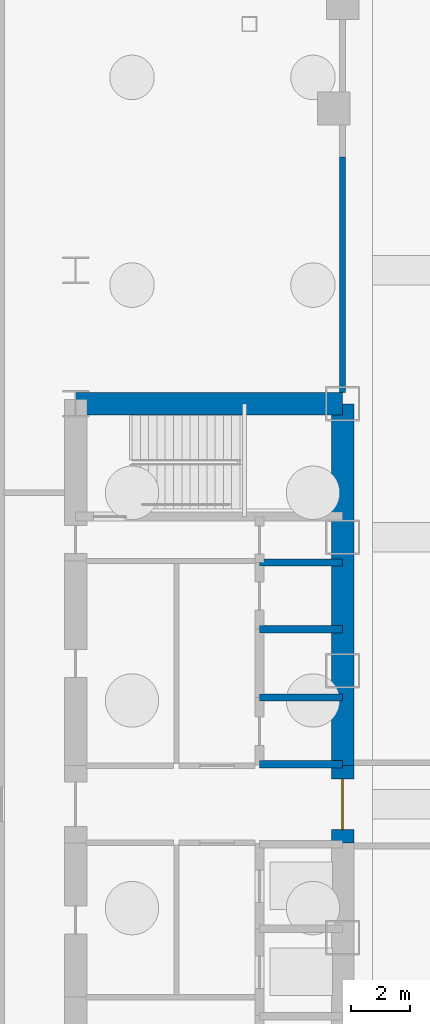
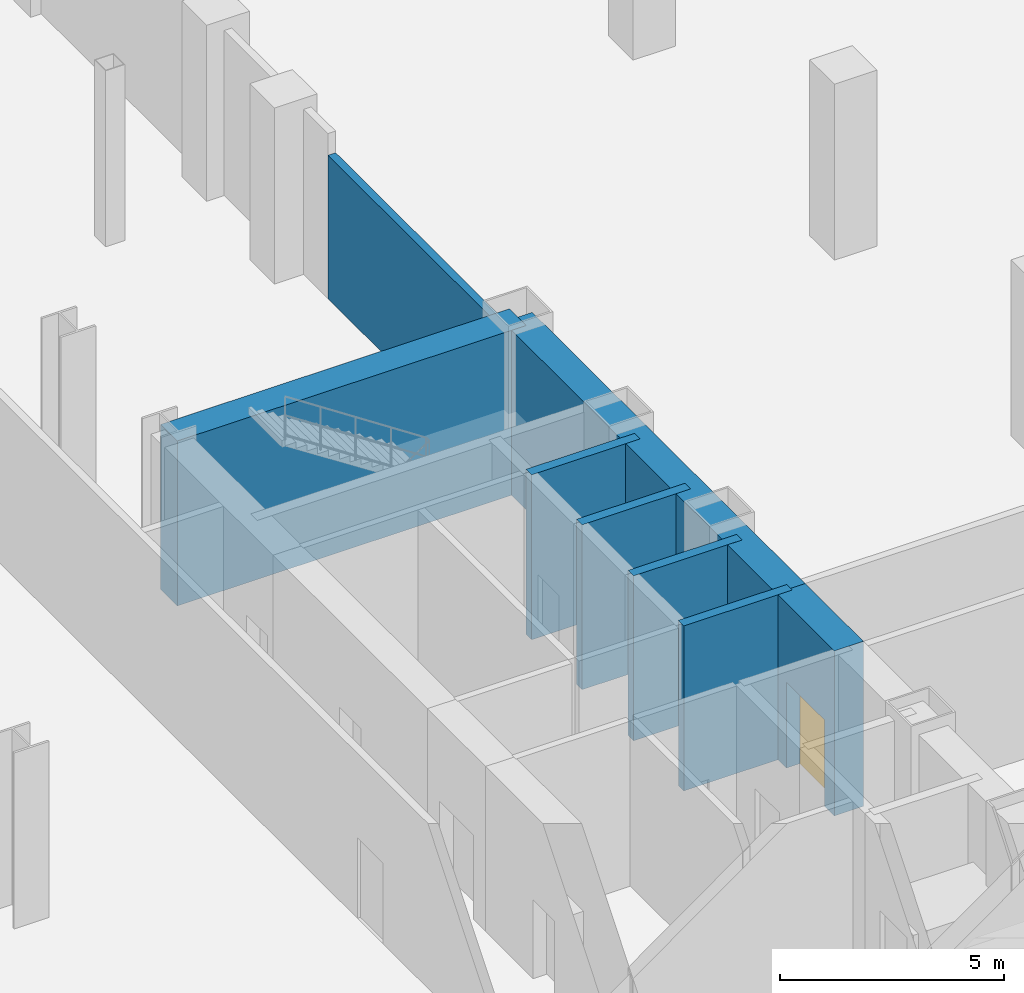
# One storey, part 11 of 18: 8 walls, 1 door, 1 opening.
"""IFC4 building model written with IfcOpenShell, lengths in metres."""

import ifcopenshell
import ifcopenshell.guid

model = None  # the IFC model being written
_history = None  # IfcOwnerHistory: only IFC2X3 demands one
_inside = {}  # id of a spatial element -> (the spatial element, [elements in it])
_under = {}  # id of a project, library or spatial element -> (it, [spatial elements below it])
_declared = {}  # id of a project -> (the project, [libraries it declares])
_typed = {}  # id of a type object -> (the type object, [elements of that type])
_made_of = {}  # id of a material, layer set ... -> (it, [elements and type objects made of it])


def new_model(schema):
    """Start an empty IFC model of exactly this schema.

    Asked for "IFC4X3", IfcOpenShell would pick the latest addendum, in which some entities
    have other attributes; the version numbers below select the first issue.
    IFC2X3 requires an IfcOwnerHistory on every rooted entity: one is made here for all.
    """
    global model, _history
    if schema == "IFC4X3":
        model = ifcopenshell.file(schema_version=(4, 3, 0, 0))
    else:
        model = ifcopenshell.file(schema=schema)
    _inside.clear()
    _under.clear()
    _declared.clear()
    _typed.clear()
    _made_of.clear()
    _history = None
    if model.schema == "IFC2X3":
        org = make("IfcOrganization", Name="unknown")
        user = make(
            "IfcPersonAndOrganization",
            ThePerson=make("IfcPerson", FamilyName="unknown"),
            TheOrganization=org,
        )
        app = make(
            "IfcApplication",
            ApplicationDeveloper=org,
            Version="unknown",
            ApplicationFullName="unknown",
            ApplicationIdentifier="unknown",
        )
        _history = make(
            "IfcOwnerHistory",
            OwningUser=user,
            OwningApplication=app,
            ChangeAction="ADDED",
            CreationDate=0,
        )
    return model


def make(cls, **values):
    """One entity of the class cls with the attributes given. An attribute that is None is left unset."""
    return model.create_entity(
        cls, **{name: value for name, value in values.items() if value is not None}
    )


def rooted(cls, **values):
    """An entity with a GlobalId (a new one), such as an element, a storey or a relation."""
    return make(cls, GlobalId=ifcopenshell.guid.new(), OwnerHistory=_history, **values)


def si_unit(unit_type, name, prefix=None):
    """IfcSIUnit, for example si_unit("LENGTHUNIT", "METRE", prefix="MILLI")."""
    return make("IfcSIUnit", UnitType=unit_type, Prefix=prefix, Name=name)


def assignment(units):
    """IfcUnitAssignment: the units of a project."""
    return None if units is None else make("IfcUnitAssignment", Units=units)


def point(xyz):
    """IfcCartesianPoint."""
    return None if xyz is None else make("IfcCartesianPoint", Coordinates=xyz)


def direction(xyz):
    """IfcDirection."""
    return None if xyz is None else make("IfcDirection", DirectionRatios=xyz)


def frame(location, z_axis=None, x_axis=None):
    """IfcAxis2Placement3D, a coordinate frame: its origin and axes. An axis left out is left unset."""
    return make(
        "IfcAxis2Placement3D",
        Location=point(location),
        Axis=direction(z_axis),
        RefDirection=direction(x_axis),
    )


def frame_2d(location, x_axis=None):
    """IfcAxis2Placement2D, a coordinate frame in the plane: its origin and x axis."""
    return make(
        "IfcAxis2Placement2D", Location=point(location), RefDirection=direction(x_axis)
    )


def origin():
    """The frame at (0, 0, 0) with its axes left unset."""
    return frame((0.0, 0.0, 0.0))


def place(relative_to, where):
    """IfcLocalPlacement: puts the frame where relative to a parent placement (None: the world)."""
    return make(
        "IfcLocalPlacement", PlacementRelTo=relative_to, RelativePlacement=where
    )


def context(
    kind, dimensions, precision=None, world=None, true_north=None, identifier=None
):
    """IfcGeometricRepresentationContext, for example the 3D "Model" context."""
    return make(
        "IfcGeometricRepresentationContext",
        ContextIdentifier=identifier,
        ContextType=kind,
        CoordinateSpaceDimension=dimensions,
        Precision=precision,
        WorldCoordinateSystem=world,
        TrueNorth=true_north,
    )


def subcontext(parent, identifier, kind, view, scale=None):
    """IfcGeometricRepresentationSubContext, for example "Body" below "Model"."""
    return make(
        "IfcGeometricRepresentationSubContext",
        ContextIdentifier=identifier,
        ContextType=kind,
        ParentContext=parent,
        TargetScale=scale,
        TargetView=view,
    )


def project(units=None, contexts=None):
    """IfcProject with its units and contexts."""
    return rooted(
        "IfcProject",
        Name="project",
        RepresentationContexts=contexts,
        UnitsInContext=assignment(units),
    )


def spatial(cls, under=None, at=None, **own):
    """A site, building, storey or space (cls), placed at a placement, below another one or the project."""
    s = rooted(cls, ObjectPlacement=at, **own)
    if under is not None:
        _under.setdefault(under.id(), (under, []))[1].append(s)
    return s


def profile(cls, at=None, kind="AREA", **sizes):
    """A parametric profile (cls). Its sizes go by their IFC names, for example OverallWidth=200.0."""
    return make(cls, ProfileType=kind, Position=at, **sizes)


def rectangle(**sizes):
    """IfcRectangleProfileDef."""
    return profile("IfcRectangleProfileDef", **sizes)


def extrude(swept, where, along, depth):
    """IfcExtrudedAreaSolid: the profile swept, set in the frame where, extruded along a direction by depth."""
    return make(
        "IfcExtrudedAreaSolid",
        SweptArea=swept,
        Position=where,
        ExtrudedDirection=direction(along),
        Depth=depth,
    )


def shape(context_of_items, identifier, shape_type, items):
    """IfcShapeRepresentation: the items that make up one representation, for example the "Body"."""
    return make(
        "IfcShapeRepresentation",
        ContextOfItems=context_of_items,
        RepresentationIdentifier=identifier,
        RepresentationType=shape_type,
        Items=items,
    )


def source(mapping_origin, context_of_items, identifier, shape_type, items):
    """IfcRepresentationMap: a shape defined once, which mapped items show again and again."""
    return make(
        "IfcRepresentationMap",
        MappingOrigin=mapping_origin,
        MappedRepresentation=shape(context_of_items, identifier, shape_type, items),
    )


def transform(
    local_origin,
    x_axis=None,
    y_axis=None,
    z_axis=None,
    scale=None,
    scale2=None,
    scale3=None,
    uniform=True,
):
    """IfcCartesianTransformationOperator3D, or its non-uniform kind. x_axis, y_axis, z_axis: its Axis1, 2, 3."""
    if uniform:
        return make(
            "IfcCartesianTransformationOperator3D",
            Axis1=direction(x_axis),
            Axis2=direction(y_axis),
            LocalOrigin=point(local_origin),
            Scale=scale,
            Axis3=direction(z_axis),
        )
    return make(
        "IfcCartesianTransformationOperator3DnonUniform",
        Axis1=direction(x_axis),
        Axis2=direction(y_axis),
        LocalOrigin=point(local_origin),
        Scale=scale,
        Axis3=direction(z_axis),
        Scale2=scale2,
        Scale3=scale3,
    )


def mapped(mapping_source, mapping_target):
    """IfcMappedItem: shows the shape of a source again, moved by a transform."""
    return make(
        "IfcMappedItem", MappingSource=mapping_source, MappingTarget=mapping_target
    )


def material(Name=None, Category=None):
    """IfcMaterial."""
    return make("IfcMaterial", Name=Name, Category=Category)


def layer(
    of_material, thickness, ventilated=None, Name=None, Category=None, Priority=None
):
    """IfcMaterialLayer: one layer of a wall or slab, of a material (None: an air gap)."""
    return make(
        "IfcMaterialLayer",
        Material=of_material,
        LayerThickness=thickness,
        IsVentilated=ventilated,
        Name=Name,
        Category=Category,
        Priority=Priority,
    )


def layer_set(layers, Name=None):
    """IfcMaterialLayerSet."""
    return make("IfcMaterialLayerSet", MaterialLayers=layers, LayerSetName=Name)


def made_of(thing, what):
    """Note that an element or type object is made of a material, layer set ...; save() writes the relation."""
    if what is not None:
        _made_of.setdefault(what.id(), (what, []))[1].append(thing)
    return thing


def type_object(cls, material=None, **own):
    """A type object (cls), such as IfcWallType, which elements share."""
    return made_of(rooted(cls, **own), material)


def type_shapes(of_type, sources):
    """Give a type object the sources (RepresentationMaps) that its elements show as mapped items."""
    of_type.RepresentationMaps = sources


def element(
    cls,
    number,
    at=None,
    inside=None,
    cuts=None,
    type_object=None,
    material=None,
    context=None,
    identifier="Body",
    shape_type=None,
    held_by="IfcProductDefinitionShape",
    body=None,
    shapes=None,
    **own,
):
    """One element of the class cls, such as IfcWall. Its Tag is "e" and its number.

    at: its placement. inside: the storey or other place that contains it. cuts: it is an
    opening in that element (IfcRelVoidsElement). A single representation is given by context,
    identifier, shape_type and body (its items); several are given by shapes. held_by: the class
    of the entity that holds the representations. save() writes the other relations.
    """
    e = rooted(cls, Tag="e%d" % number, ObjectPlacement=at, **own)
    if body is not None:
        shapes = [shape(context, identifier, shape_type, body)]
    if shapes is not None:
        e.Representation = make(held_by, Representations=shapes)
    if inside is not None:
        _inside.setdefault(inside.id(), (inside, []))[1].append(e)
    if cuts is not None:
        rooted(
            "IfcRelVoidsElement", RelatingBuildingElement=cuts, RelatedOpeningElement=e
        )
    if type_object is not None:
        _typed.setdefault(type_object.id(), (type_object, []))[1].append(e)
    return made_of(e, material)


def fill(opening, filler):
    """IfcRelFillsElement: the door or window that sits in an opening."""
    return rooted(
        "IfcRelFillsElement",
        RelatingOpeningElement=opening,
        RelatedBuildingElement=filler,
    )


def aggregate(whole, parts):
    """IfcRelAggregates: a whole, such as a stair, and the parts it consists of."""
    return rooted("IfcRelAggregates", RelatingObject=whole, RelatedObjects=parts)


def save(model, path):
    """Write the relations noted so far, then the file.

    IfcRelAggregates (storeys below a building ...), IfcRelContainedInSpatialStructure (elements
    in a storey), IfcRelDefinesByType, IfcRelAssociatesMaterial and IfcRelDeclares: one each for
    every whole, place, type object, material and project.
    """
    for whole, parts in _under.values():
        aggregate(whole, parts)
    for where, things in _inside.values():
        rooted(
            "IfcRelContainedInSpatialStructure",
            RelatedElements=things,
            RelatingStructure=where,
        )
    for kind, things in _typed.values():
        rooted("IfcRelDefinesByType", RelatedObjects=things, RelatingType=kind)
    for what, things in _made_of.values():
        rooted("IfcRelAssociatesMaterial", RelatedObjects=things, RelatingMaterial=what)
    for by, libraries in _declared.values():
        rooted("IfcRelDeclares", RelatingContext=by, RelatedDefinitions=libraries)
    model.write(path)


model = new_model("IFC4")

# Units and contexts
model_context = context("Model", 3, precision=1e-05, world=origin(), true_north=direction((0.0, 1.0)))
body_context = subcontext(model_context, "Body", "Model", "MODEL_VIEW")
ifc_project = project(units=[si_unit("LENGTHUNIT", "METRE"), si_unit("AREAUNIT", "SQUARE_METRE"), si_unit("VOLUMEUNIT", "CUBIC_METRE"), si_unit("PLANEANGLEUNIT", "RADIAN"), si_unit("MASSUNIT", "GRAM", prefix="KILO")], contexts=[model_context])

# Site, building, storey
site_placement = place(None, origin())
site = spatial("IfcSite", under=ifc_project, at=site_placement, CompositionType="ELEMENT")
building_placement = place(site_placement, origin())
building = spatial("IfcBuilding", under=site, at=building_placement, Name="Seokmaru Belvedere", CompositionType="ELEMENT")
storey_placement = place(building_placement, frame((0.0, 0.0, -9.60009765625)))
storey = spatial("IfcBuildingStorey", under=building, at=storey_placement, Name="B2", CompositionType="ELEMENT", Elevation=-9.60009765625)

# Walls
ifc_material_1 = material(Name="Concrete C50 (50 MPa)", Category="concrete")
ifc_layer_1 = layer(ifc_material_1, 0.25)
ifc_layer_set_1 = layer_set([ifc_layer_1], Name="Concrete C50 (50 MPa)")
wall_type_1 = type_object("IfcWallType", Name="Hoistway Transverse Concrete Divider Wall 250", PredefinedType="SHEAR", material=ifc_layer_set_1)
for number, where, z_axis, x_axis, name in (
    (1, (-30.300048828125, 1.35009765625, 0.0), (0.0, 0.0, 1.0), (1.0, 0.0, 0.0), "B2 West Hoistway Divider Core Wall 4"),
    (2, (-30.300048828125, 3.60009765625, 0.0), (0.0, 0.0, 1.0), (1.0, 0.0, 0.0), "B2 West Hoistway Divider Core Wall 5"),
    (3, (-30.300048828125, 5.89990234375, 0.0), (0.0, 0.0, 1.0), (1.0, 0.0, 0.0), "B2 West Hoistway Divider Core Wall 6"),
    (4, (-30.300048828125, 8.14990234375, 0.0), (0.0, 0.0, 1.0), (1.0, 0.0, 0.0), "B2 West Hoistway Divider Core Wall 7"),
):
    element("IfcWall", number, at=place(storey_placement, frame(where, z_axis=z_axis, x_axis=x_axis)), inside=storey, type_object=wall_type_1, Name=name, PredefinedType="SHEAR", context=body_context, shape_type="SweptSolid", body=[
        extrude(rectangle(XDim=2.800048828125, YDim=0.25, at=frame_2d((1.39990234375, 0.0))), origin(), (0.0, 0.0, 1.0), 4.5),
    ])
ifc_material_2 = material(Name="Fire-Rated Gypsum Shaftwall")
ifc_layer_2 = layer(ifc_material_2, 0.199951171875)
ifc_layer_set_2 = layer_set([ifc_layer_2], Name="Fire-Rated Gypsum Shaftwall")
wall_type_2 = type_object("IfcWallType", Name="Inter-Tenancy Fire Compartment Partition 200", PredefinedType="PARTITIONING", material=ifc_layer_set_2)
wall_1_placement = place(storey_placement, frame((-27.5, 13.8798828125, 0.0), z_axis=(0.0, 0.0, 1.0), x_axis=(0.0, 1.0, 0.0)))
element("IfcWall", 5, at=wall_1_placement, inside=storey, type_object=wall_type_2, Name="B2 Interior Partition 010", PredefinedType="PARTITIONING", context=body_context, shape_type="SweptSolid", body=[
    extrude(rectangle(XDim=7.9326171875, YDim=0.199951171875, at=frame_2d((3.96630859375, 0.0))), origin(), (0.0, 0.0, 1.0), 3.912109375),
])
ifc_material_3 = material(Name="Concrete C60 (60 MPa)", Category="concrete")
ifc_layer_3 = layer(ifc_material_3, 0.75)
ifc_layer_set_3 = layer_set([ifc_layer_3], Name="Concrete C60 (60 MPa)")
wall_type_3 = type_object("IfcWallType", Name="Lower Tower Reinforced Concrete Core Wall 750", PredefinedType="SHEAR", material=ifc_layer_set_3)
wall_2_placement = place(storey_placement, frame((-27.5, 1.300048828125, 0.0), z_axis=(0.0, 0.0, 1.0), x_axis=(0.0, 1.0, 0.0)))
element("IfcWall", 6, at=wall_2_placement, inside=storey, type_object=wall_type_3, Name="B2 West Portal Spine Core Wall North", PredefinedType="SHEAR", context=body_context, shape_type="SweptSolid", body=[
    extrude(rectangle(XDim=12.199951171875, YDim=0.75, at=frame_2d((6.10009765625, 0.0))), origin(), (0.0, 0.0, 1.0), 4.5),
])

# Wall, opening, door
wall_3_placement = place(storey_placement, frame((-27.5, -1.300048828125, 0.0), z_axis=(0.0, 0.0, 1.0), x_axis=(0.0, 1.0, 0.0)))
wall_3 = element("IfcWall", 7, at=wall_3_placement, inside=storey, type_object=wall_type_3, Name="B2 West Portal Spine Core Wall Center", PredefinedType="SHEAR", context=body_context, shape_type="SweptSolid", body=[
    extrude(rectangle(XDim=2.60009765625, YDim=0.75, at=frame_2d((1.300048828125, 0.0))), origin(), (0.0, 0.0, 1.0), 4.5),
])
opening_placement = place(wall_3_placement, frame((0.449951171875, 0.0, 0.0)))
opening = element("IfcOpeningElement", 8, at=opening_placement, cuts=wall_3, Name="Opening D09", PredefinedType="OPENING", context=body_context, shape_type="SweptSolid", body=[
    extrude(rectangle(XDim=1.699951171875, YDim=2.35009765625, at=frame_2d((0.85009765625, 1.175048828125))), frame((0.0, 0.385009765625, 0.0), z_axis=(0.0, -1.0, 0.0), x_axis=(1.0, 0.0, 0.0)), (0.0, 0.0, 1.0), 0.77001953125),
])
ifc_material_4 = material(Name="Fire-Rated Steel Leaf", Category="steel")
door_type = type_object("IfcDoorType", Name="Sky-Gate Bridge Inter-Tower Fire Door 1700x2350", OperationType="DOUBLE_SWING_LEFT", PredefinedType="DOOR", material=ifc_material_4)
shared_shape = source(origin(), body_context, "Body", "SweptSolid", [
    extrude(rectangle(XDim=1.699951171875, YDim=2.35009765625, at=frame_2d((0.85009765625, 1.175048828125))), frame((0.0, 0.02490234375, 0.0), z_axis=(0.0, -1.0, 0.0), x_axis=(1.0, 0.0, 0.0)), (0.0, 0.0, 1.0), 0.050048828125),
])
type_shapes(door_type, [shared_shape])
door_placement = place(opening_placement, origin())
door = element("IfcDoor", 9, at=door_placement, inside=storey, type_object=door_type, Name="B2 West Inter-Tower Fire Door", OperationType="DOUBLE_SWING_LEFT", OverallHeight=2.35009765625, OverallWidth=1.699951171875, PredefinedType="DOOR", context=body_context, shape_type="MappedRepresentation", body=[
    mapped(shared_shape, transform((0.0, 0.0, 0.0), scale=1.0)),
])
fill(opening, door)

# Wall
wall_4_placement = place(storey_placement, frame((-36.5, 13.5, 0.0), z_axis=(0.0, 0.0, 1.0), x_axis=(1.0, 0.0, 0.0)))
element("IfcWall", 10, at=wall_4_placement, inside=storey, type_object=wall_type_3, Name="B2 West North Core Wall", PredefinedType="SHEAR", context=body_context, shape_type="SweptSolid", body=[
    extrude(rectangle(XDim=9.0, YDim=0.75, at=frame_2d((4.5, 0.0))), origin(), (0.0, 0.0, 1.0), 4.5),
])

save(model, "model.ifc")
